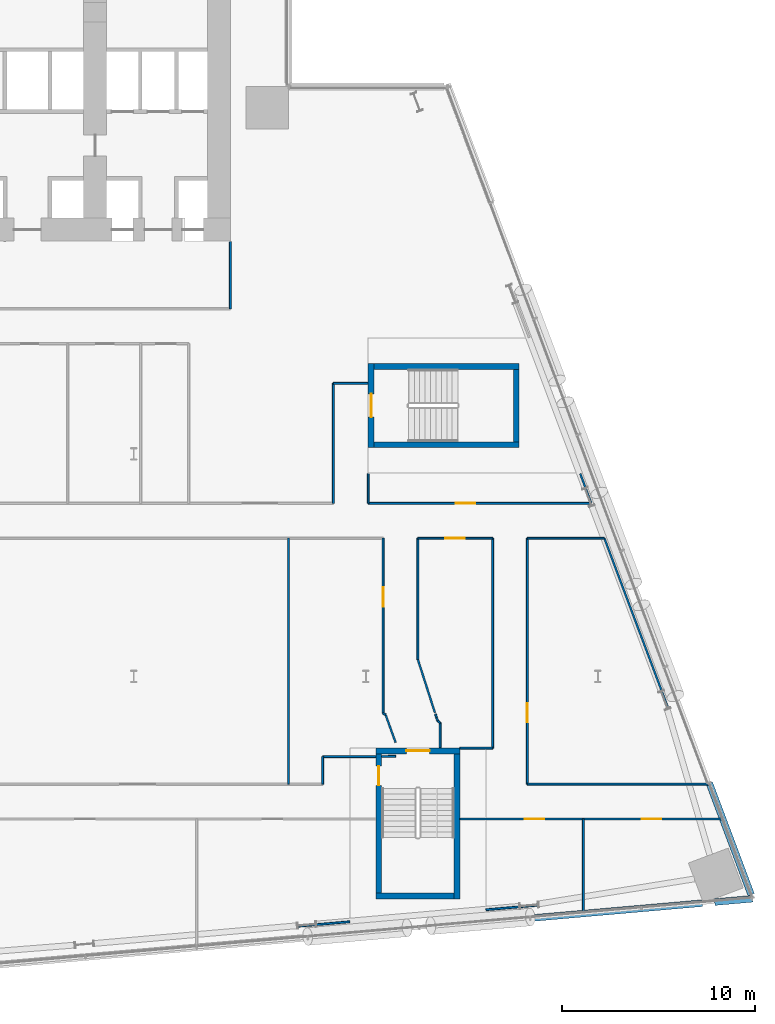
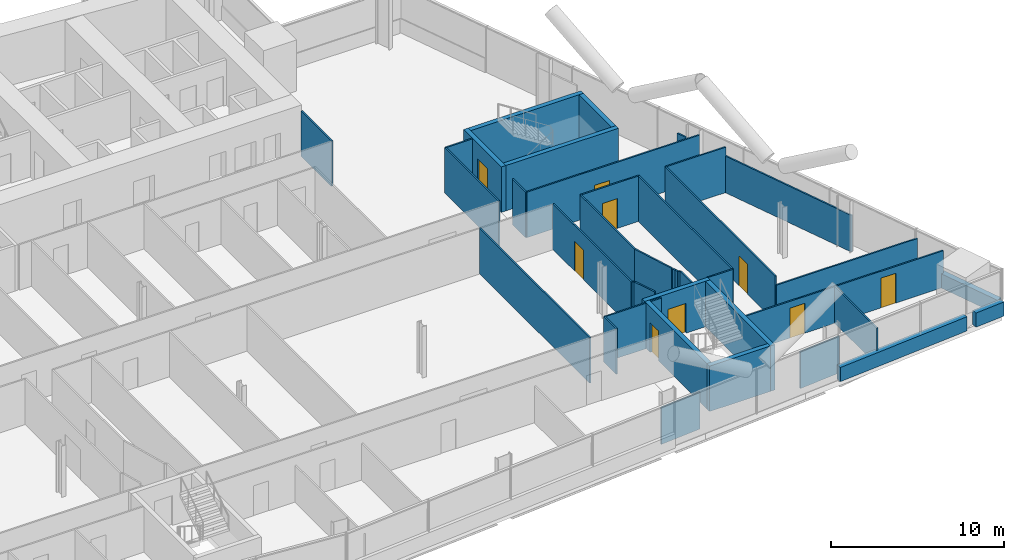
# One storey, part 19 of 27: 41 walls, 9 doors, 9 openings.
"""IFC4 building model written with IfcOpenShell, lengths in metres."""

from ifc_helpers import new_model, si_unit, direction, frame, frame_2d, origin, place, context, subcontext, project, spatial, rectangle, extrude, material, layer, layer_set, type_object, element, fill, save


model = new_model("IFC4")

# Units and contexts
model_context = context("Model", 3, precision=1e-05, world=origin(), true_north=direction((0.0, 1.0)))
body_context = subcontext(model_context, "Body", "Model", "MODEL_VIEW")
ifc_project = project(units=[si_unit("LENGTHUNIT", "METRE"), si_unit("AREAUNIT", "SQUARE_METRE"), si_unit("VOLUMEUNIT", "CUBIC_METRE"), si_unit("PLANEANGLEUNIT", "RADIAN"), si_unit("MASSUNIT", "GRAM", prefix="KILO")], contexts=[model_context])

# Site, building, storey
site_placement = place(None, origin())
site = spatial("IfcSite", under=ifc_project, at=site_placement, CompositionType="ELEMENT")
building_placement = place(site_placement, origin())
building = spatial("IfcBuilding", under=site, at=building_placement, Name="Wharfspan Tower", CompositionType="ELEMENT")
storey_placement = place(building_placement, frame((0.0, 0.0, 55.899902)))
storey = spatial("IfcBuildingStorey", under=building, at=storey_placement, Name="L10", CompositionType="ELEMENT", Elevation=55.899902)

# Walls
ifc_material_1 = material(Name="Gypsum board on steel studs", Category="steel")
ifc_layer_1 = layer(ifc_material_1, 0.100098)
ifc_layer_set_1 = layer_set([ifc_layer_1], Name="Gypsum board on steel studs")
wall_type_1 = type_object("IfcWallType", Name="Compartment wall 100 EI 60", PredefinedType="PARTITIONING", material=ifc_layer_set_1)
wall_1_placement = place(storey_placement, frame((65.0, 30.5, 0.0), z_axis=(0.0, 0.0, 1.0), x_axis=(0.0, 1.0, 0.0)))
element("IfcWall", 1, at=wall_1_placement, inside=storey, type_object=wall_type_1, Name="Partition L10.w058", PredefinedType="PARTITIONING", context=body_context, shape_type="SweptSolid", body=[
    extrude(rectangle(XDim=3.47998, YDim=0.100098, at=frame_2d((1.73999, 0.0))), origin(), (0.0, 0.0, 1.0), 3.200195),
])
wall_2_placement = place(storey_placement, frame((68.0, 5.925049, 0.0), z_axis=(0.0, 0.0, 1.0), x_axis=(0.0, 1.0, 0.0)))
element("IfcWall", 2, at=wall_2_placement, inside=storey, type_object=wall_type_1, Name="Partition L10.w059", PredefinedType="PARTITIONING", context=body_context, shape_type="SweptSolid", body=[
    extrude(rectangle(XDim=12.714844, YDim=0.100098, at=frame_2d((6.357422, 0.0))), origin(), (0.0, 0.0, 1.0), 3.200195),
])
wall_3_placement = place(storey_placement, frame((69.764893, 5.925049, 0.0), z_axis=(0.0, 0.0, 1.0), x_axis=(0.0, 1.0, 0.0)))
element("IfcWall", 3, at=wall_3_placement, inside=storey, type_object=wall_type_1, Name="Partition L10.w061", PredefinedType="PARTITIONING", context=body_context, shape_type="SweptSolid", body=[
    extrude(rectangle(XDim=1.425049, YDim=0.100098, at=frame_2d((0.712402, 0.0))), origin(), (0.0, 0.0, 1.0), 3.200195),
])
wall_4_placement = place(storey_placement, frame((69.764893, 7.350098, 0.0), z_axis=(0.0, 0.0, 1.0), x_axis=(1.0, 0.0, 0.0)))
element("IfcWall", 4, at=wall_4_placement, inside=storey, type_object=wall_type_1, Name="Partition L10.w062", PredefinedType="PARTITIONING", context=body_context, shape_type="SweptSolid", body=[
    extrude(rectangle(XDim=2.752686, YDim=0.100098, at=frame_2d((1.376465, 0.0))), origin(), (0.0, 0.0, 1.0), 3.200195),
])
wall_5_placement = place(storey_placement, frame((70.324951, 20.445068, 0.0), z_axis=(0.0, 0.0, 1.0), x_axis=(0.0, 1.0, 0.0)))
element("IfcWall", 5, at=wall_5_placement, inside=storey, type_object=wall_type_1, Name="Partition L10.w063", PredefinedType="PARTITIONING", context=body_context, shape_type="SweptSolid", body=[
    extrude(rectangle(XDim=6.204834, YDim=0.100098, at=frame_2d((3.102539, 0.0))), origin(), (0.0, 0.0, 1.0), 3.200195),
])
wall_6_placement = place(storey_placement, frame((70.324951, 26.649902, 0.0), z_axis=(0.0, 0.0, 1.0), x_axis=(1.0, 0.0, 0.0)))
element("IfcWall", 6, at=wall_6_placement, inside=storey, type_object=wall_type_1, Name="Partition L10.w064", PredefinedType="PARTITIONING", context=body_context, shape_type="SweptSolid", body=[
    extrude(rectangle(XDim=1.780029, YDim=0.100098, at=frame_2d((0.890137, 0.0))), origin(), (0.0, 0.0, 1.0), 3.200195),
])
wall_7_placement = place(storey_placement, frame((72.125, 20.445068, 0.0), z_axis=(0.0, 0.0, 1.0), x_axis=(0.0, 1.0, 0.0)))
element("IfcWall", 7, at=wall_7_placement, inside=storey, type_object=wall_type_1, Name="Partition L10.w066", PredefinedType="PARTITIONING", context=body_context, shape_type="SweptSolid", body=[
    extrude(rectangle(XDim=1.534912, YDim=0.100098, at=frame_2d((0.767578, 0.0))), origin(), (0.0, 0.0, 1.0), 3.200195),
])

# Wall, opening, door
wall_8_placement = place(storey_placement, frame((72.125, 20.445068, 0.0), z_axis=(0.0, 0.0, 1.0), x_axis=(1.0, 0.0, 0.0)))
wall_8 = element("IfcWall", 8, at=wall_8_placement, inside=storey, type_object=wall_type_1, Name="Partition L10.w067", PredefinedType="PARTITIONING", context=body_context, shape_type="SweptSolid", body=[
    extrude(rectangle(XDim=11.534912, YDim=0.100098, at=frame_2d((5.767578, 0.0))), origin(), (0.0, 0.0, 1.0), 3.200195),
])
opening_1_placement = place(wall_8_placement, frame((4.520508, 0.0, 0.0)))
opening_1 = element("IfcOpeningElement", 9, at=opening_1_placement, cuts=wall_8, Name="Opening A2-31", PredefinedType="OPENING", context=body_context, shape_type="SweptSolid", body=[
    extrude(rectangle(XDim=1.0, YDim=2.100098, at=frame_2d((0.5, 1.050049))), frame((0.0, 0.060059, 0.0), z_axis=(0.0, -1.0, 0.0), x_axis=(1.0, 0.0, 0.0)), (0.0, 0.0, 1.0), 0.120117),
])
ifc_material_2 = material(Name="Fire-rated timber door leaf in steel frame", Category="steel")
door_type_1 = type_object("IfcDoorType", Name="Door 1000 FD30S Left", OperationType="SINGLE_SWING_LEFT", PredefinedType="DOOR", material=ifc_material_2)
door_1_placement = place(opening_1_placement, origin())
door_1 = element("IfcDoor", 10, at=door_1_placement, inside=storey, type_object=door_type_1, Name="Door A2-31", OperationType="SINGLE_SWING_LEFT", OverallHeight=2.100098, OverallWidth=1.0, PredefinedType="DOOR", context=body_context, shape_type="SweptSolid", body=[
    extrude(rectangle(XDim=1.0, YDim=2.100098, at=frame_2d((0.5, 1.050049))), frame((0.0, 0.024902, 0.0), z_axis=(0.0, -1.0, 0.0), x_axis=(1.0, 0.0, 0.0)), (0.0, 0.0, 1.0), 0.050049),
])
fill(opening_1, door_1)

wall_9_placement = place(storey_placement, frame((72.889893, 9.590088, 0.0), z_axis=(0.0, 0.0, 1.0), x_axis=(0.0, 1.0, 0.0)))
wall_9 = element("IfcWall", 11, at=wall_9_placement, inside=storey, type_object=wall_type_1, Name="Partition L10.w068", PredefinedType="PARTITIONING", context=body_context, shape_type="SweptSolid", body=[
    extrude(rectangle(XDim=9.049805, YDim=0.100098, at=frame_2d((4.524902, 0.0))), origin(), (0.0, 0.0, 1.0), 3.200195),
])
opening_2_placement = place(wall_9_placement, frame((5.514893, 0.0, 0.0)))
opening_2 = element("IfcOpeningElement", 12, at=opening_2_placement, cuts=wall_9, Name="Opening A2-20", PredefinedType="OPENING", context=body_context, shape_type="SweptSolid", body=[
    extrude(rectangle(XDim=1.0, YDim=2.100098, at=frame_2d((0.5, 1.050049))), frame((0.0, 0.060059, 0.0), z_axis=(0.0, -1.0, 0.0), x_axis=(1.0, 0.0, 0.0)), (0.0, 0.0, 1.0), 0.120117),
])
door_type_2 = type_object("IfcDoorType", Name="Door 1000 FD30S Right", OperationType="SINGLE_SWING_RIGHT", PredefinedType="DOOR", material=ifc_material_2)
door_2_placement = place(opening_2_placement, origin())
door_2 = element("IfcDoor", 13, at=door_2_placement, inside=storey, type_object=door_type_2, Name="Door A2-20", OperationType="SINGLE_SWING_RIGHT", OverallHeight=2.100098, OverallWidth=1.0, PredefinedType="DOOR", context=body_context, shape_type="SweptSolid", body=[
    extrude(rectangle(XDim=1.0, YDim=2.100098, at=frame_2d((0.5, 1.050049))), frame((0.0, 0.024902, 0.0), z_axis=(0.0, -1.0, 0.0), x_axis=(1.0, 0.0, 0.0)), (0.0, 0.0, 1.0), 0.050049),
])
fill(opening_2, door_2)

# Walls
wall_10_placement = place(storey_placement, frame((73.02002, 9.514893, 0.0), z_axis=(0.0, 0.0, 1.0), x_axis=(-0.865836, 0.500333, 0.0)))
element("IfcWall", 14, at=wall_10_placement, inside=storey, type_object=wall_type_1, Name="Partition L10.w069", PredefinedType="PARTITIONING", context=body_context, shape_type="SweptSolid", body=[
    extrude(rectangle(XDim=0.150391, YDim=0.100098, at=frame_2d((0.075195, 0.0))), origin(), (0.0, 0.0, 1.0), 3.200195),
])
wall_11_placement = place(storey_placement, frame((73.540039, 8.074951, 0.0), z_axis=(0.0, 0.0, 1.0), x_axis=(-0.339669, 0.940548, 0.0)))
element("IfcWall", 15, at=wall_11_placement, inside=storey, type_object=wall_type_1, Name="Partition L10.w071", PredefinedType="PARTITIONING", context=body_context, shape_type="SweptSolid", body=[
    extrude(rectangle(XDim=1.531006, YDim=0.100098, at=frame_2d((0.765625, 0.0))), origin(), (0.0, 0.0, 1.0), 3.200195),
])
wall_12_placement = place(storey_placement, frame((74.695068, 12.360107, 0.0), z_axis=(0.0, 0.0, 1.0), x_axis=(0.0, 1.0, 0.0)))
element("IfcWall", 16, at=wall_12_placement, inside=storey, type_object=wall_type_1, Name="Partition L10.w072", PredefinedType="PARTITIONING", context=body_context, shape_type="SweptSolid", body=[
    extrude(rectangle(XDim=6.279785, YDim=0.100098, at=frame_2d((3.139893, 0.0))), origin(), (0.0, 0.0, 1.0), 3.200195),
])

# Wall, opening, door
wall_13_placement = place(storey_placement, frame((74.695068, 18.639893, 0.0), z_axis=(0.0, 0.0, 1.0), x_axis=(1.0, 0.0, 0.0)))
wall_13 = element("IfcWall", 17, at=wall_13_placement, inside=storey, type_object=wall_type_1, Name="Partition L10.w073", PredefinedType="PARTITIONING", context=body_context, shape_type="SweptSolid", body=[
    extrude(rectangle(XDim=3.859863, YDim=0.100098, at=frame_2d((1.929932, 0.0))), origin(), (0.0, 0.0, 1.0), 3.200195),
])
opening_3_placement = place(wall_13_placement, frame((1.419922, 0.0, 0.0)))
opening_3 = element("IfcOpeningElement", 18, at=opening_3_placement, cuts=wall_13, Name="Opening A2-23", PredefinedType="OPENING", context=body_context, shape_type="SweptSolid", body=[
    extrude(rectangle(XDim=1.0, YDim=2.100098, at=frame_2d((0.5, 1.050049))), frame((0.0, 0.060059, 0.0), z_axis=(0.0, -1.0, 0.0), x_axis=(1.0, 0.0, 0.0)), (0.0, 0.0, 1.0), 0.120117),
])
door_3_placement = place(opening_3_placement, origin())
door_3 = element("IfcDoor", 19, at=door_3_placement, inside=storey, type_object=door_type_1, Name="Door A2-23", OperationType="SINGLE_SWING_LEFT", OverallHeight=2.100098, OverallWidth=1.0, PredefinedType="DOOR", context=body_context, shape_type="SweptSolid", body=[
    extrude(rectangle(XDim=1.0, YDim=2.100098, at=frame_2d((0.5, 1.050049))), frame((0.0, 0.024902, 0.0), z_axis=(0.0, -1.0, 0.0), x_axis=(1.0, 0.0, 0.0)), (0.0, 0.0, 1.0), 0.050049),
])
fill(opening_3, door_3)

# Walls
wall_14_placement = place(storey_placement, frame((75.570068, 9.625, 0.0), z_axis=(0.0, 0.0, 1.0), x_axis=(-0.305088, 0.952327, 0.0)))
element("IfcWall", 20, at=wall_14_placement, inside=storey, type_object=wall_type_1, Name="Partition L10.w074", PredefinedType="PARTITIONING", context=body_context, shape_type="SweptSolid", body=[
    extrude(rectangle(XDim=2.87207, YDim=0.100098, at=frame_2d((1.436035, 0.0))), origin(), (0.0, 0.0, 1.0), 3.200195),
])
wall_15_placement = place(storey_placement, frame((75.655029, 9.370117, 0.0), z_axis=(0.0, 0.0, 1.0), x_axis=(-0.299793, 0.954008, 0.0)))
element("IfcWall", 21, at=wall_15_placement, inside=storey, type_object=wall_type_1, Name="Partition L10.w075", PredefinedType="PARTITIONING", context=body_context, shape_type="SweptSolid", body=[
    extrude(rectangle(XDim=0.18335, YDim=0.100098, at=frame_2d((0.091797, 0.0))), origin(), (0.0, 0.0, 1.0), 3.200195),
])
wall_16_placement = place(storey_placement, frame((75.715088, 9.189941, 0.0), z_axis=(0.0, 0.0, 1.0), x_axis=(-0.316228, 0.948684, 0.0)))
element("IfcWall", 22, at=wall_16_placement, inside=storey, type_object=wall_type_1, Name="Partition L10.w076", PredefinedType="PARTITIONING", context=body_context, shape_type="SweptSolid", body=[
    extrude(rectangle(XDim=0.189941, YDim=0.100098, at=frame_2d((0.094971, 0.0))), origin(), (0.0, 0.0, 1.0), 3.200195),
])
wall_17_placement = place(storey_placement, frame((75.844971, 7.812012, 0.0), z_axis=(0.0, 0.0, 1.0), x_axis=(0.0, 1.0, 0.0)))
element("IfcWall", 23, at=wall_17_placement, inside=storey, type_object=wall_type_1, Name="Partition L10.w077", PredefinedType="PARTITIONING", context=body_context, shape_type="SweptSolid", body=[
    extrude(rectangle(XDim=1.278076, YDim=0.100098, at=frame_2d((0.63916, 0.0))), origin(), (0.0, 0.0, 1.0), 3.200195),
])
wall_18_placement = place(storey_placement, frame((75.844971, 9.094971, 0.0), z_axis=(0.0, 0.0, 1.0), x_axis=(-0.807226, 0.590246, 0.0)))
element("IfcWall", 24, at=wall_18_placement, inside=storey, type_object=wall_type_1, Name="Partition L10.w078", PredefinedType="PARTITIONING", context=body_context, shape_type="SweptSolid", body=[
    extrude(rectangle(XDim=0.160889, YDim=0.100098, at=frame_2d((0.080566, 0.0))), origin(), (0.0, 0.0, 1.0), 3.200195),
])

# Wall, openings, doors
wall_19_placement = place(storey_placement, frame((76.867432, 4.120117, 0.0), z_axis=(0.0, 0.0, 1.0), x_axis=(1.0, 0.0, 0.0)))
wall_19 = element("IfcWall", 25, at=wall_19_placement, inside=storey, type_object=wall_type_1, Name="Partition L10.w079", PredefinedType="PARTITIONING", context=body_context, shape_type="SweptSolid", body=[
    extrude(rectangle(XDim=13.566162, YDim=0.100098, at=frame_2d((6.783203, 0.0))), origin(), (0.0, 0.0, 1.0), 2.580078),
])
opening_4_placement = place(wall_19_placement, frame((3.347412, 0.0, 0.0)))
opening_4 = element("IfcOpeningElement", 26, at=opening_4_placement, cuts=wall_19, Name="Opening A2-11", PredefinedType="OPENING", context=body_context, shape_type="SweptSolid", body=[
    extrude(rectangle(XDim=1.0, YDim=2.100098, at=frame_2d((0.5, 1.050049))), frame((0.0, 0.060059, 0.0), z_axis=(0.0, -1.0, 0.0), x_axis=(1.0, 0.0, 0.0)), (0.0, 0.0, 1.0), 0.120117),
])
opening_5_placement = place(wall_19_placement, frame((9.407471, 0.0, 0.0)))
opening_5 = element("IfcOpeningElement", 27, at=opening_5_placement, cuts=wall_19, Name="Opening A2-12", PredefinedType="OPENING", context=body_context, shape_type="SweptSolid", body=[
    extrude(rectangle(XDim=1.0, YDim=2.100098, at=frame_2d((0.5, 1.050049))), frame((0.0, 0.060059, 0.0), z_axis=(0.0, -1.0, 0.0), x_axis=(1.0, 0.0, 0.0)), (0.0, 0.0, 1.0), 0.120117),
])
door_4_placement = place(opening_4_placement, origin())
door_4 = element("IfcDoor", 28, at=door_4_placement, inside=storey, type_object=door_type_1, Name="Door A2-11", OperationType="SINGLE_SWING_LEFT", OverallHeight=2.100098, OverallWidth=1.0, PredefinedType="DOOR", context=body_context, shape_type="SweptSolid", body=[
    extrude(rectangle(XDim=1.0, YDim=2.100098, at=frame_2d((0.5, 1.050049))), frame((0.0, 0.024902, 0.0), z_axis=(0.0, -1.0, 0.0), x_axis=(1.0, 0.0, 0.0)), (0.0, 0.0, 1.0), 0.050049),
])
fill(opening_4, door_4)
door_5_placement = place(opening_5_placement, origin())
door_5 = element("IfcDoor", 29, at=door_5_placement, inside=storey, type_object=door_type_2, Name="Door A2-12", OperationType="SINGLE_SWING_RIGHT", OverallHeight=2.100098, OverallWidth=1.0, PredefinedType="DOOR", context=body_context, shape_type="SweptSolid", body=[
    extrude(rectangle(XDim=1.0, YDim=2.100098, at=frame_2d((0.5, 1.050049))), frame((0.0, 0.024902, 0.0), z_axis=(0.0, -1.0, 0.0), x_axis=(1.0, 0.0, 0.0)), (0.0, 0.0, 1.0), 0.050049),
])
fill(opening_5, door_5)

# Walls
wall_20_placement = place(storey_placement, frame((76.867432, 7.790039, 0.0), z_axis=(0.0, 0.0, 1.0), x_axis=(1.0, 0.0, 0.0)))
element("IfcWall", 30, at=wall_20_placement, inside=storey, type_object=wall_type_1, Name="Partition L10.w080", PredefinedType="PARTITIONING", context=body_context, shape_type="SweptSolid", body=[
    extrude(rectangle(XDim=1.6875, YDim=0.100098, at=frame_2d((0.84375, 0.0))), origin(), (0.0, 0.0, 1.0), 3.200195),
])
wall_21_placement = place(storey_placement, frame((78.554932, 7.790039, 0.0), z_axis=(0.0, 0.0, 1.0), x_axis=(0.0, 1.0, 0.0)))
element("IfcWall", 31, at=wall_21_placement, inside=storey, type_object=wall_type_1, Name="Partition L10.w082", PredefinedType="PARTITIONING", context=body_context, shape_type="SweptSolid", body=[
    extrude(rectangle(XDim=10.849854, YDim=0.100098, at=frame_2d((5.424805, 0.0))), origin(), (0.0, 0.0, 1.0), 3.200195),
])

# Wall, opening, door
wall_22_placement = place(storey_placement, frame((80.35498, 5.925049, 0.0), z_axis=(0.0, 0.0, 1.0), x_axis=(0.0, 1.0, 0.0)))
wall_22 = element("IfcWall", 32, at=wall_22_placement, inside=storey, type_object=wall_type_1, Name="Partition L10.w083", PredefinedType="PARTITIONING", context=body_context, shape_type="SweptSolid", body=[
    extrude(rectangle(XDim=12.714844, YDim=0.100098, at=frame_2d((6.357422, 0.0))), origin(), (0.0, 0.0, 1.0), 3.200195),
])
opening_6_placement = place(wall_22_placement, frame((3.189697, 0.0, 0.0)))
opening_6 = element("IfcOpeningElement", 33, at=opening_6_placement, cuts=wall_22, Name="Opening A2-17", PredefinedType="OPENING", context=body_context, shape_type="SweptSolid", body=[
    extrude(rectangle(XDim=1.0, YDim=2.100098, at=frame_2d((0.5, 1.050049))), frame((0.0, 0.060059, 0.0), z_axis=(0.0, -1.0, 0.0), x_axis=(1.0, 0.0, 0.0)), (0.0, 0.0, 1.0), 0.120117),
])
door_6_placement = place(opening_6_placement, origin())
door_6 = element("IfcDoor", 34, at=door_6_placement, inside=storey, type_object=door_type_1, Name="Door A2-17", OperationType="SINGLE_SWING_LEFT", OverallHeight=2.100098, OverallWidth=1.0, PredefinedType="DOOR", context=body_context, shape_type="SweptSolid", body=[
    extrude(rectangle(XDim=1.0, YDim=2.100098, at=frame_2d((0.5, 1.050049))), frame((0.0, 0.024902, 0.0), z_axis=(0.0, -1.0, 0.0), x_axis=(1.0, 0.0, 0.0)), (0.0, 0.0, 1.0), 0.050049),
])
fill(opening_6, door_6)

# Walls
wall_23_placement = place(storey_placement, frame((80.35498, 5.925049, 0.0), z_axis=(0.0, 0.0, 1.0), x_axis=(1.0, 0.0, 0.0)))
element("IfcWall", 35, at=wall_23_placement, inside=storey, type_object=wall_type_1, Name="Partition L10.w084", PredefinedType="PARTITIONING", context=body_context, shape_type="SweptSolid", body=[
    extrude(rectangle(XDim=9.401855, YDim=0.100098, at=frame_2d((4.700928, 0.0))), origin(), (0.0, 0.0, 1.0), 2.580078),
])
wall_24_placement = place(storey_placement, frame((80.35498, 18.639893, 0.0), z_axis=(0.0, 0.0, 1.0), x_axis=(1.0, 0.0, 0.0)))
element("IfcWall", 36, at=wall_24_placement, inside=storey, type_object=wall_type_1, Name="Partition L10.w085", PredefinedType="PARTITIONING", context=body_context, shape_type="SweptSolid", body=[
    extrude(rectangle(XDim=3.97998, YDim=0.100098, at=frame_2d((1.98999, 0.0))), origin(), (0.0, 0.0, 1.0), 3.200195),
])
wall_25_placement = place(storey_placement, frame((83.25, -0.745361, 0.0), z_axis=(0.0, 0.0, 1.0), x_axis=(0.0, 1.0, 0.0)))
element("IfcWall", 37, at=wall_25_placement, inside=storey, type_object=wall_type_1, Name="Partition L10.w087", PredefinedType="PARTITIONING", context=body_context, shape_type="SweptSolid", body=[
    extrude(rectangle(XDim=4.865479, YDim=0.100098, at=frame_2d((2.432617, 0.0))), origin(), (0.0, 0.0, 1.0), 2.580078),
])
wall_26_placement = place(storey_placement, frame((83.659912, 20.445068, 0.0), z_axis=(0.0, 0.0, 1.0), x_axis=(-0.349474, 0.936948, 0.0)))
element("IfcWall", 38, at=wall_26_placement, inside=storey, type_object=wall_type_1, Name="Partition L10.w088", PredefinedType="PARTITIONING", context=body_context, shape_type="SweptSolid", body=[
    extrude(rectangle(XDim=1.638184, YDim=0.100098, at=frame_2d((0.819092, 0.0))), origin(), (0.0, 0.0, 1.0), 2.580078),
])
wall_27_placement = place(storey_placement, frame((87.649902, 9.810059, 0.0), z_axis=(0.0, 0.0, 1.0), x_axis=(-0.351473, 0.9362, 0.0)))
element("IfcWall", 39, at=wall_27_placement, inside=storey, type_object=wall_type_1, Name="Partition L10.w089", PredefinedType="PARTITIONING", context=body_context, shape_type="SweptSolid", body=[
    extrude(rectangle(XDim=9.431641, YDim=0.100098, at=frame_2d((4.71582, 0.0))), origin(), (0.0, 0.0, 1.0), 2.580078),
])
wall_28_placement = place(storey_placement, frame((72.817383, 7.353516, 0.0), z_axis=(0.0, 0.0, 1.0), x_axis=(0.999994, 0.002027, 0.0)))
element("IfcWall", 40, at=wall_28_placement, inside=storey, type_object=wall_type_1, Name="Partition L10.w065 (2)", PredefinedType="PARTITIONING", context=body_context, shape_type="SweptSolid", body=[
    extrude(rectangle(XDim=0.722656, YDim=0.100098, at=frame_2d((0.361328, 0.0))), origin(), (0.0, 0.0, 1.0), 3.200195),
])
ifc_layer_2 = layer(ifc_material_1, 0.100098)
ifc_layer_set_2 = layer_set([ifc_layer_2], Name="Gypsum board on steel studs")
wall_type_2 = type_object("IfcWallType", Name="Partition 100", PredefinedType="PARTITIONING", material=ifc_layer_set_2)
wall_29_placement = place(storey_placement, frame((68.445068, -1.429932, 0.0), z_axis=(0.0, 0.0, 1.0), x_axis=(0.996195, 0.087118, 0.0)))
element("IfcWall", 41, at=wall_29_placement, inside=storey, type_object=wall_type_2, Name="Partition L10.w060", PredefinedType="PARTITIONING", context=body_context, shape_type="SweptSolid", body=[
    extrude(rectangle(XDim=2.738037, YDim=0.100098, at=frame_2d((1.369141, 0.0))), origin(), (0.0, 0.0, 1.0), 2.580078),
])
wall_30_placement = place(storey_placement, frame((78.212402, -0.572998, 0.0), z_axis=(0.0, 0.0, 1.0), x_axis=(0.996224, 0.086779, 0.0)))
element("IfcWall", 42, at=wall_30_placement, inside=storey, type_object=wall_type_2, Name="Partition L10.w081", PredefinedType="PARTITIONING", context=body_context, shape_type="SweptSolid", body=[
    extrude(rectangle(XDim=2.74292, YDim=0.100098, at=frame_2d((1.371582, 0.0))), origin(), (0.0, 0.0, 1.0), 2.580078),
])
ifc_material_3 = material(Name="Concrete C40/50", Category="concrete")
ifc_layer_3 = layer(ifc_material_3, 0.350098)
ifc_layer_set_3 = layer_set([ifc_layer_3], Name="Concrete C40/50")
wall_type_3 = type_object("IfcWallType", Name="SPANDREL EXPOSED CONCRETE 350", PredefinedType="SOLIDWALL", material=ifc_layer_set_3)
wall_31_placement = place(storey_placement, frame((80.530273, -1.008545, 0.0), z_axis=(0.0, 0.0, 1.0), x_axis=(0.996198, 0.087169, 0.0)))
element("IfcWall", 43, at=wall_31_placement, inside=storey, type_object=wall_type_3, Name="Spandrel upstand L10 S2 2", PredefinedType="SOLIDWALL", context=body_context, shape_type="SweptSolid", body=[
    extrude(rectangle(XDim=8.912109, YDim=0.350098, at=frame_2d((4.456055, 0.0))), origin(), (0.0, 0.0, 1.0), 1.0),
])
wall_32_placement = place(storey_placement, frame((90.039062, -0.176514, 0.0), z_axis=(0.0, 0.0, 1.0), x_axis=(0.996193, 0.08717, 0.0)))
element("IfcWall", 44, at=wall_32_placement, inside=storey, type_object=wall_type_3, Name="Spandrel upstand L10 S2 3", PredefinedType="SOLIDWALL", context=body_context, shape_type="SweptSolid", body=[
    extrude(rectangle(XDim=1.968994, YDim=0.350098, at=frame_2d((0.984375, 0.0))), origin(), (0.0, 0.0, 1.0), 1.0),
])
wall_33_placement = place(storey_placement, frame((91.926025, 0.211182, 0.0), z_axis=(0.0, 0.0, 1.0), x_axis=(-0.351118, 0.936328, 0.0)))
element("IfcWall", 45, at=wall_33_placement, inside=storey, type_object=wall_type_3, Name="Spandrel upstand L10 E 1", PredefinedType="SOLIDWALL", context=body_context, shape_type="SweptSolid", body=[
    extrude(rectangle(XDim=6.154297, YDim=0.350098, at=frame_2d((3.077148, 0.0))), origin(), (0.0, 0.0, 1.0), 1.0),
])

# Wall, opening, door
ifc_layer_4 = layer(ifc_material_3, 0.300049)
ifc_layer_set_4 = layer_set([ifc_layer_4], Name="Concrete C40/50")
wall_type_4 = type_object("IfcWallType", Name="Stair core wall 300", PredefinedType="SHEAR", material=ifc_layer_set_4)
wall_34_placement = place(storey_placement, frame((72.517578, 7.64209, 0.0), z_axis=(0.0, 0.0, 1.0), x_axis=(1.0, 0.0, 0.0)))
wall_34 = element("IfcWall", 46, at=wall_34_placement, inside=storey, type_object=wall_type_4, Name="ST5 stair enclosure wall L10", PredefinedType="SHEAR", context=body_context, shape_type="SweptSolid", body=[
    extrude(rectangle(XDim=4.349854, YDim=0.300049, at=frame_2d((2.174805, 0.0))), origin(), (0.0, 0.0, 1.0), 3.200195),
])
opening_7_placement = place(wall_34_placement, frame((1.574951, 0.0, 0.0)))
opening_7 = element("IfcOpeningElement", 47, at=opening_7_placement, cuts=wall_34, Name="Opening SD5.L10", PredefinedType="OPENING", context=body_context, shape_type="SweptSolid", body=[
    extrude(rectangle(XDim=1.199951, YDim=2.100098, at=frame_2d((0.600098, 1.050049))), frame((0.0, 0.159912, 0.0), z_axis=(0.0, -1.0, 0.0), x_axis=(1.0, 0.0, 0.0)), (0.0, 0.0, 1.0), 0.320068),
])
ifc_material_4 = material(Name="Steel door leaf", Category="steel")
door_type_3 = type_object("IfcDoorType", Name="Stair door 1200x2100", OperationType="SINGLE_SWING_LEFT", PredefinedType="DOOR", material=ifc_material_4)
door_7_placement = place(opening_7_placement, origin())
door_7 = element("IfcDoor", 48, at=door_7_placement, inside=storey, type_object=door_type_3, Name="sd:L10:ST5z1", OperationType="SINGLE_SWING_RIGHT", OverallHeight=2.100098, OverallWidth=1.199951, PredefinedType="DOOR", context=body_context, shape_type="SweptSolid", body=[
    extrude(rectangle(XDim=1.199951, YDim=2.100098, at=frame_2d((0.600098, 1.050049))), frame((0.0, 0.024902, 0.0), z_axis=(0.0, -1.0, 0.0), x_axis=(1.0, 0.0, 0.0)), (0.0, 0.0, 1.0), 0.050049),
])
fill(opening_7, door_7)

wall_35_placement = place(storey_placement, frame((72.66748, 0.291992, 0.0), z_axis=(0.0, 0.0, 1.0), x_axis=(0.0, 1.0, 0.0)))
wall_35 = element("IfcWall", 49, at=wall_35_placement, inside=storey, type_object=wall_type_4, Name="ST5 stair enclosure wall L10", PredefinedType="SHEAR", context=body_context, shape_type="SweptSolid", body=[
    extrude(rectangle(XDim=7.199951, YDim=0.300049, at=frame_2d((3.600098, 0.0))), origin(), (0.0, 0.0, 1.0), 3.200195),
])
opening_8_placement = place(wall_35_placement, frame((5.566406, 0.0, 0.0)))
opening_8 = element("IfcOpeningElement", 50, at=opening_8_placement, cuts=wall_35, Name="Opening SS5W.L10", PredefinedType="OPENING", context=body_context, shape_type="SweptSolid", body=[
    extrude(rectangle(XDim=1.0, YDim=2.100098, at=frame_2d((0.5, 1.050049))), frame((0.0, 0.159912, 0.0), z_axis=(0.0, -1.0, 0.0), x_axis=(1.0, 0.0, 0.0)), (0.0, 0.0, 1.0), 0.320068),
])
door_type_4 = type_object("IfcDoorType", Name="Stair side door 1000x2100", OperationType="SINGLE_SWING_LEFT", PredefinedType="DOOR", material=ifc_material_4)
door_8_placement = place(opening_8_placement, origin())
door_8 = element("IfcDoor", 51, at=door_8_placement, inside=storey, type_object=door_type_4, Name="Stair side door", OperationType="SINGLE_SWING_LEFT", OverallHeight=2.100098, OverallWidth=1.0, PredefinedType="DOOR", context=body_context, shape_type="SweptSolid", body=[
    extrude(rectangle(XDim=1.0, YDim=2.100098, at=frame_2d((0.5, 1.050049))), frame((0.0, 0.024902, 0.0), z_axis=(0.0, -1.0, 0.0), x_axis=(1.0, 0.0, 0.0)), (0.0, 0.0, 1.0), 0.050049),
])
fill(opening_8, door_8)

wall_36_placement = place(storey_placement, frame((72.274902, 23.324951, 0.0), z_axis=(0.0, 0.0, 1.0), x_axis=(0.0, 1.0, 0.0)))
wall_36 = element("IfcWall", 52, at=wall_36_placement, inside=storey, type_object=wall_type_4, Name="ST6 stair enclosure wall L10", PredefinedType="SHEAR", context=body_context, shape_type="SweptSolid", body=[
    extrude(rectangle(XDim=4.350098, YDim=0.300049, at=frame_2d((2.175049, 0.0))), origin(), (0.0, 0.0, 1.0), 3.200195),
])
opening_9_placement = place(wall_36_placement, frame((1.574951, 0.0, 0.0)))
opening_9 = element("IfcOpeningElement", 53, at=opening_9_placement, cuts=wall_36, Name="Opening SD6.L10", PredefinedType="OPENING", context=body_context, shape_type="SweptSolid", body=[
    extrude(rectangle(XDim=1.199951, YDim=2.100098, at=frame_2d((0.600098, 1.050049))), frame((0.0, 0.159912, 0.0), z_axis=(0.0, -1.0, 0.0), x_axis=(1.0, 0.0, 0.0)), (0.0, 0.0, 1.0), 0.320068),
])
door_9_placement = place(opening_9_placement, origin())
door_9 = element("IfcDoor", 54, at=door_9_placement, inside=storey, type_object=door_type_3, Name="sd:L10:ST6z1", OperationType="SINGLE_SWING_RIGHT", OverallHeight=2.100098, OverallWidth=1.199951, PredefinedType="DOOR", context=body_context, shape_type="SweptSolid", body=[
    extrude(rectangle(XDim=1.199951, YDim=2.100098, at=frame_2d((0.600098, 1.050049))), frame((0.0, 0.024902, 0.0), z_axis=(0.0, -1.0, 0.0), x_axis=(1.0, 0.0, 0.0)), (0.0, 0.0, 1.0), 0.050049),
])
fill(opening_9, door_9)

# Walls
wall_37_placement = place(storey_placement, frame((76.717529, -0.008057, 0.0), z_axis=(0.0, 0.0, 1.0), x_axis=(0.0, 1.0, 0.0)))
element("IfcWall", 55, at=wall_37_placement, inside=storey, type_object=wall_type_4, Name="ST5 stair enclosure wall L10", PredefinedType="SHEAR", context=body_context, shape_type="SweptSolid", body=[
    extrude(rectangle(XDim=7.5, YDim=0.300049, at=frame_2d((3.75, 0.0))), origin(), (0.0, 0.0, 1.0), 3.200195),
])
wall_38_placement = place(storey_placement, frame((72.517578, 0.14209, 0.0), z_axis=(0.0, 0.0, 1.0), x_axis=(1.0, 0.0, 0.0)))
element("IfcWall", 56, at=wall_38_placement, inside=storey, type_object=wall_type_4, Name="ST5 stair enclosure wall L10", PredefinedType="SHEAR", context=body_context, shape_type="SweptSolid", body=[
    extrude(rectangle(XDim=4.049805, YDim=0.300049, at=frame_2d((2.024902, 0.0))), origin(), (0.0, 0.0, 1.0), 3.200195),
])
for number, where, z_axis, x_axis, name in (
    (57, (72.425049, 23.475098, 0.0), (0.0, 0.0, 1.0), (1.0, 0.0, 0.0), "ST6 stair enclosure wall L10"),
    (58, (72.425049, 27.524902, 0.0), (0.0, 0.0, 1.0), (1.0, 0.0, 0.0), "ST6 stair enclosure wall L10"),
):
    element("IfcWall", number, at=place(storey_placement, frame(where, z_axis=z_axis, x_axis=x_axis)), inside=storey, type_object=wall_type_4, Name=name, PredefinedType="SHEAR", context=body_context, shape_type="SweptSolid", body=[
        extrude(rectangle(XDim=7.5, YDim=0.300049, at=frame_2d((3.75, 0.0))), origin(), (0.0, 0.0, 1.0), 3.200195),
    ])
wall_39_placement = place(storey_placement, frame((79.774902, 23.625, 0.0), z_axis=(0.0, 0.0, 1.0), x_axis=(0.0, 1.0, 0.0)))
element("IfcWall", 59, at=wall_39_placement, inside=storey, type_object=wall_type_4, Name="ST6 stair enclosure wall L10", PredefinedType="SHEAR", context=body_context, shape_type="SweptSolid", body=[
    extrude(rectangle(XDim=3.75, YDim=0.300049, at=frame_2d((1.875, 0.0))), origin(), (0.0, 0.0, 1.0), 3.200195),
])

save(model, "model.ifc")
